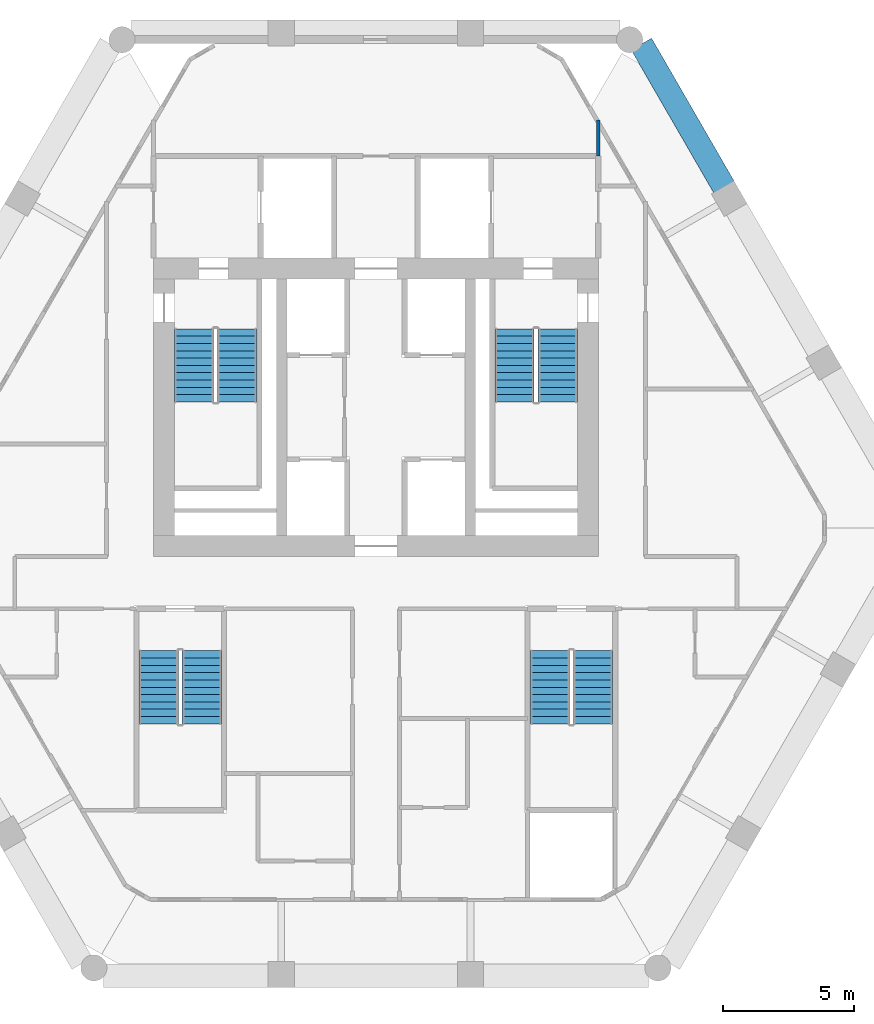
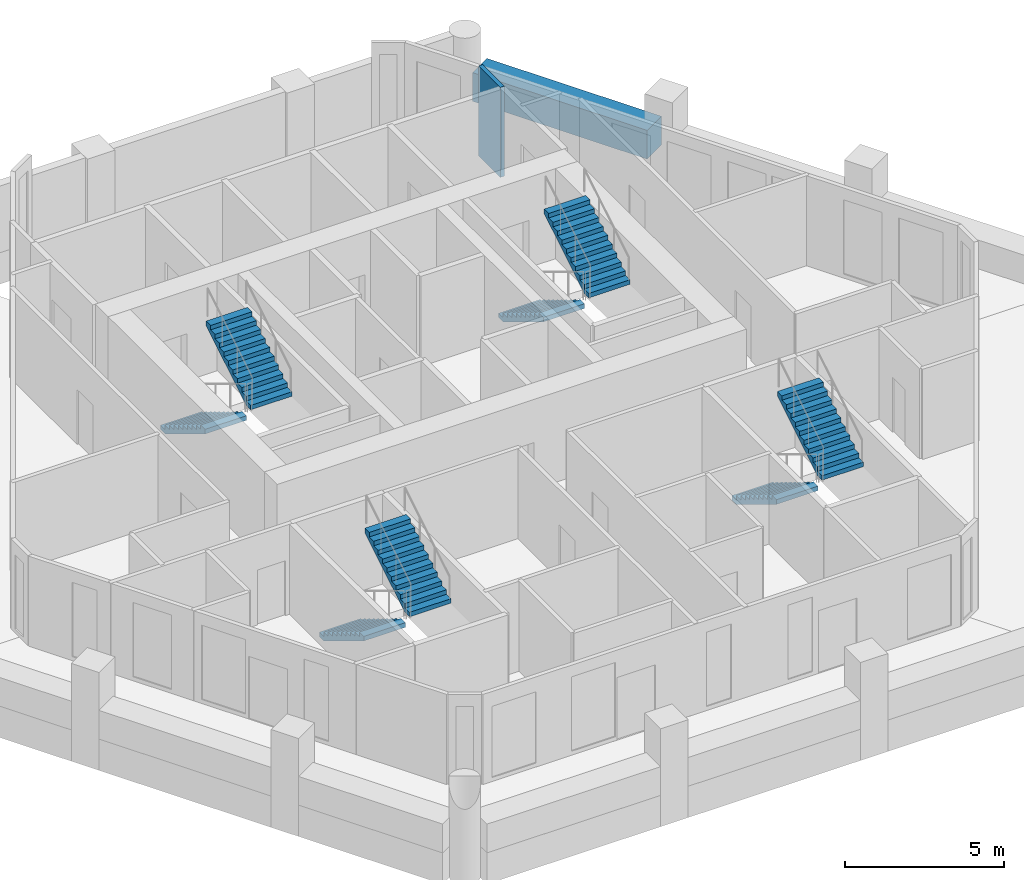
# One storey, part 6 of 7: 8 stair flights, 2 walls, 4 elements without a shape of their own.
"""IFC4 building model written with IfcOpenShell, lengths in metres."""

from ifc_helpers import new_model, si_unit, direction, frame, frame_2d, origin, place, context, subcontext, project, spatial, polyline, rectangle, outline, extrude, material, layer, layer_set, type_object, element, aggregate, save


model = new_model("IFC4")

# Units and contexts
model_context = context("Model", 3, precision=1e-05, world=origin(), true_north=direction((0.0, 1.0)))
body_context = subcontext(model_context, "Body", "Model", "MODEL_VIEW")
ifc_project = project(units=[si_unit("LENGTHUNIT", "METRE"), si_unit("AREAUNIT", "SQUARE_METRE"), si_unit("VOLUMEUNIT", "CUBIC_METRE"), si_unit("PLANEANGLEUNIT", "RADIAN"), si_unit("MASSUNIT", "GRAM", prefix="KILO")], contexts=[model_context])

# Site, building, storey
site_placement = place(None, origin())
site = spatial("IfcSite", under=ifc_project, at=site_placement, CompositionType="ELEMENT")
building_placement = place(site_placement, origin())
building = spatial("IfcBuilding", under=site, at=building_placement, Name="Ostrander Bayou Hotel Tower", CompositionType="ELEMENT")
storey_placement = place(building_placement, frame((0.0, 0.0, 183.25)))
storey = spatial("IfcBuildingStorey", under=building, at=storey_placement, Name="L45", CompositionType="ELEMENT", Elevation=183.25)

# Walls
ifc_material_1 = material(Name="Concrete f'c 40 MPa", Category="concrete")
ifc_layer_1 = layer(ifc_material_1, 0.89990234375)
ifc_layer_set_1 = layer_set([ifc_layer_1], Name="PA1 stone-faced parapet 900 mm")
wall_type_1 = type_object("IfcWallType", Name="PA1 stone-faced parapet 900 mm", PredefinedType="PARAPET", material=ifc_layer_set_1)
wall_1_placement = place(storey_placement, frame((13.30908203125, 12.404296875, 0.0), z_axis=(0.0, 0.0, 1.0), x_axis=(-0.500000968981, 0.866024844342, 0.0)))
element("IfcWall", 1, at=wall_1_placement, inside=storey, type_object=wall_type_1, Name="PA1 L45 NE-3", PredefinedType="PARAPET", context=body_context, shape_type="SweptSolid", body=[
    extrude(rectangle(XDim=6.3232421875, YDim=0.89990234375, at=frame_2d((3.16162109375, 0.0))), origin(), (0.0, 0.0, 1.0), 1.10009765625),
])
ifc_material_2 = material(Name="Gypsum board partition", Category="finish")
ifc_layer_2 = layer(ifc_material_2, 0.14990234375)
ifc_layer_set_2 = layer_set([ifc_layer_2], Name="PT8 service band wall 150 mm, 1 hour")
wall_type_2 = type_object("IfcWallType", Name="PT8 service band wall 150 mm, 1 hour", PredefinedType="PARTITIONING", material=ifc_layer_set_2)
wall_2_placement = place(storey_placement, frame((8.5, 13.610107421875, 0.0), z_axis=(0.0, 0.0, 1.0), x_axis=(0.0, 1.0, 0.0)))
element("IfcWall", 2, at=wall_2_placement, inside=storey, type_object=wall_type_2, Name="gw:L45:022", PredefinedType="PARTITIONING", context=body_context, shape_type="SweptSolid", body=[
    extrude(rectangle(XDim=1.364013671875, YDim=0.14990234375, at=frame_2d((0.68212890625, 0.0))), origin(), (0.0, 0.0, 1.0), 3.449951171875),
])

# Stair, stair flights
ifc_material_3 = material(Name="Concrete f'c 45 MPa", Category="concrete")
stair_type = type_object("IfcStairType", Name="ST1 exit stair 1500 mm f'c 45 MPa", PredefinedType="HALF_TURN_STAIR", material=ifc_material_3)
stair_1_placement = place(storey_placement, origin())
stair_1 = element("IfcStair", 3, at=stair_1_placement, inside=storey, type_object=stair_type, Name="L45 exit stair A", PredefinedType="HALF_TURN_STAIR")
ifc_material_4 = material(Name="Concrete f'c 45 MPa", Category="concrete")
stair_flight_type = type_object("IfcStairFlightType", Name="SF1 stair flight 1500 mm f'c 45 MPa", PredefinedType="STRAIGHT", material=ifc_material_4)
stair_flight_1_placement = place(storey_placement, frame((-6.949951171875, 7.0, 0.0), z_axis=(0.0, 0.0, 1.0), x_axis=(0.0, -1.0, 0.0)))
stair_flight_1 = element("IfcStairFlight", 4, at=stair_flight_1_placement, type_object=stair_flight_type, Name="STA flight 1", NumberOfRisers=11, NumberOfTreads=10, PredefinedType="STRAIGHT", RiserHeight=0.170454545, TreadLength=0.28, context=body_context, shape_type="SweptSolid", body=[
    extrude(outline(polyline([(0.0, 0.0), (0.0, 0.17041015625), (0.280029296875, 0.17041015625), (0.280029296875, 0.3408203125), (0.56005859375, 0.3408203125), (0.56005859375, 0.511474609375), (0.840087890625, 0.511474609375), (0.840087890625, 0.681884765625), (1.1201171875, 0.681884765625), (1.1201171875, 0.852294921875), (1.39990234375, 0.852294921875), (1.39990234375, 1.022705078125), (1.679931640625, 1.022705078125), (1.679931640625, 1.193115234375), (1.9599609375, 1.193115234375), (1.9599609375, 1.363525390625), (2.239990234375, 1.363525390625), (2.239990234375, 1.5341796875), (2.52001953125, 1.5341796875), (2.52001953125, 1.70458984375), (2.800048828125, 1.70458984375), (2.800048828125, 1.875), (2.800048828125, 1.529052734375), (0.288330078125, 0.0), (0.0, 0.0)])), frame((0.0, 0.75, 0.0), z_axis=(0.0, -1.0, 0.0), x_axis=(1.0, 0.0, 0.0)), (0.0, 0.0, 1.0), 1.5),
])
stair_flight_2_placement = place(storey_placement, frame((-5.300048828125, 4.199951171875, 1.875), z_axis=(0.0, 0.0, 1.0), x_axis=(0.0, 1.0, 0.0)))
stair_flight_2 = element("IfcStairFlight", 5, at=stair_flight_2_placement, type_object=stair_flight_type, Name="STA flight 2", NumberOfRisers=11, NumberOfTreads=10, PredefinedType="STRAIGHT", RiserHeight=0.170454545, TreadLength=0.28, context=body_context, shape_type="SweptSolid", body=[
    extrude(outline(polyline([(0.0, 0.0), (0.0, 0.17041015625), (0.280029296875, 0.17041015625), (0.280029296875, 0.3408203125), (0.56005859375, 0.3408203125), (0.56005859375, 0.511474609375), (0.840087890625, 0.511474609375), (0.840087890625, 0.681884765625), (1.1201171875, 0.681884765625), (1.1201171875, 0.852294921875), (1.39990234375, 0.852294921875), (1.39990234375, 1.022705078125), (1.679931640625, 1.022705078125), (1.679931640625, 1.193115234375), (1.9599609375, 1.193115234375), (1.9599609375, 1.363525390625), (2.239990234375, 1.363525390625), (2.239990234375, 1.5341796875), (2.52001953125, 1.5341796875), (2.52001953125, 1.70458984375), (2.800048828125, 1.70458984375), (2.800048828125, 1.875), (2.800048828125, 1.529052734375), (0.288330078125, 0.0), (0.0, 0.0)])), frame((0.0, 0.75, 0.0), z_axis=(0.0, -1.0, 0.0), x_axis=(1.0, 0.0, 0.0)), (0.0, 0.0, 1.0), 1.5),
])
aggregate(stair_1, [stair_flight_1, stair_flight_2])

stair_2_placement = place(storey_placement, origin())
stair_2 = element("IfcStair", 6, at=stair_2_placement, inside=storey, type_object=stair_type, Name="L45 exit stair B", PredefinedType="HALF_TURN_STAIR")
stair_flight_3_placement = place(storey_placement, frame((5.300048828125, 7.0, 0.0), z_axis=(0.0, 0.0, 1.0), x_axis=(0.0, -1.0, 0.0)))
stair_flight_3 = element("IfcStairFlight", 7, at=stair_flight_3_placement, type_object=stair_flight_type, Name="STB flight 1", NumberOfRisers=11, NumberOfTreads=10, PredefinedType="STRAIGHT", RiserHeight=0.170454545, TreadLength=0.28, context=body_context, shape_type="SweptSolid", body=[
    extrude(outline(polyline([(0.0, 0.0), (0.0, 0.17041015625), (0.280029296875, 0.17041015625), (0.280029296875, 0.3408203125), (0.56005859375, 0.3408203125), (0.56005859375, 0.511474609375), (0.840087890625, 0.511474609375), (0.840087890625, 0.681884765625), (1.1201171875, 0.681884765625), (1.1201171875, 0.852294921875), (1.39990234375, 0.852294921875), (1.39990234375, 1.022705078125), (1.679931640625, 1.022705078125), (1.679931640625, 1.193115234375), (1.9599609375, 1.193115234375), (1.9599609375, 1.363525390625), (2.239990234375, 1.363525390625), (2.239990234375, 1.5341796875), (2.52001953125, 1.5341796875), (2.52001953125, 1.70458984375), (2.800048828125, 1.70458984375), (2.800048828125, 1.875), (2.800048828125, 1.529052734375), (0.288330078125, 0.0), (0.0, 0.0)])), frame((0.0, 0.75, 0.0), z_axis=(0.0, -1.0, 0.0), x_axis=(1.0, 0.0, 0.0)), (0.0, 0.0, 1.0), 1.5),
])
stair_flight_4_placement = place(storey_placement, frame((6.949951171875, 4.199951171875, 1.875), z_axis=(0.0, 0.0, 1.0), x_axis=(0.0, 1.0, 0.0)))
stair_flight_4 = element("IfcStairFlight", 8, at=stair_flight_4_placement, type_object=stair_flight_type, Name="STB flight 2", NumberOfRisers=11, NumberOfTreads=10, PredefinedType="STRAIGHT", RiserHeight=0.170454545, TreadLength=0.28, context=body_context, shape_type="SweptSolid", body=[
    extrude(outline(polyline([(0.0, 0.0), (0.0, 0.17041015625), (0.280029296875, 0.17041015625), (0.280029296875, 0.3408203125), (0.56005859375, 0.3408203125), (0.56005859375, 0.511474609375), (0.840087890625, 0.511474609375), (0.840087890625, 0.681884765625), (1.1201171875, 0.681884765625), (1.1201171875, 0.852294921875), (1.39990234375, 0.852294921875), (1.39990234375, 1.022705078125), (1.679931640625, 1.022705078125), (1.679931640625, 1.193115234375), (1.9599609375, 1.193115234375), (1.9599609375, 1.363525390625), (2.239990234375, 1.363525390625), (2.239990234375, 1.5341796875), (2.52001953125, 1.5341796875), (2.52001953125, 1.70458984375), (2.800048828125, 1.70458984375), (2.800048828125, 1.875), (2.800048828125, 1.529052734375), (0.288330078125, 0.0), (0.0, 0.0)])), frame((0.0, 0.75, 0.0), z_axis=(0.0, -1.0, 0.0), x_axis=(1.0, 0.0, 0.0)), (0.0, 0.0, 1.0), 1.5),
])
aggregate(stair_2, [stair_flight_3, stair_flight_4])

stair_3_placement = place(storey_placement, origin())
stair_3 = element("IfcStair", 9, at=stair_3_placement, inside=storey, type_object=stair_type, Name="L45 exit stair C", PredefinedType="HALF_TURN_STAIR")
stair_flight_5_placement = place(storey_placement, frame((6.64990234375, -5.300048828125, 0.0), z_axis=(0.0, 0.0, 1.0), x_axis=(0.0, -1.0, 0.0)))
stair_flight_5 = element("IfcStairFlight", 10, at=stair_flight_5_placement, type_object=stair_flight_type, Name="STC flight 1", NumberOfRisers=11, NumberOfTreads=10, PredefinedType="STRAIGHT", RiserHeight=0.170454545, TreadLength=0.28, context=body_context, shape_type="SweptSolid", body=[
    extrude(outline(polyline([(0.0, 0.0), (0.0, 0.17041015625), (0.280029296875, 0.17041015625), (0.280029296875, 0.3408203125), (0.56005859375, 0.3408203125), (0.56005859375, 0.511474609375), (0.840087890625, 0.511474609375), (0.840087890625, 0.681884765625), (1.1201171875, 0.681884765625), (1.1201171875, 0.852294921875), (1.39990234375, 0.852294921875), (1.39990234375, 1.022705078125), (1.679931640625, 1.022705078125), (1.679931640625, 1.193115234375), (1.9599609375, 1.193115234375), (1.9599609375, 1.363525390625), (2.239990234375, 1.363525390625), (2.239990234375, 1.5341796875), (2.52001953125, 1.5341796875), (2.52001953125, 1.70458984375), (2.800048828125, 1.70458984375), (2.800048828125, 1.875), (2.800048828125, 1.529052734375), (0.288330078125, 0.0), (0.0, 0.0)])), frame((0.0, 0.75, 0.0), z_axis=(0.0, -1.0, 0.0), x_axis=(1.0, 0.0, 0.0)), (0.0, 0.0, 1.0), 1.5),
])
stair_flight_6_placement = place(storey_placement, frame((8.300048828125, -8.10009765625, 1.875), z_axis=(0.0, 0.0, 1.0), x_axis=(0.0, 1.0, 0.0)))
stair_flight_6 = element("IfcStairFlight", 11, at=stair_flight_6_placement, type_object=stair_flight_type, Name="STC flight 2", NumberOfRisers=11, NumberOfTreads=10, PredefinedType="STRAIGHT", RiserHeight=0.170454545, TreadLength=0.28, context=body_context, shape_type="SweptSolid", body=[
    extrude(outline(polyline([(0.0, 0.0), (0.0, 0.17041015625), (0.280029296875, 0.17041015625), (0.280029296875, 0.3408203125), (0.56005859375, 0.3408203125), (0.56005859375, 0.511474609375), (0.840087890625, 0.511474609375), (0.840087890625, 0.681884765625), (1.1201171875, 0.681884765625), (1.1201171875, 0.852294921875), (1.39990234375, 0.852294921875), (1.39990234375, 1.022705078125), (1.679931640625, 1.022705078125), (1.679931640625, 1.193115234375), (1.9599609375, 1.193115234375), (1.9599609375, 1.363525390625), (2.239990234375, 1.363525390625), (2.239990234375, 1.5341796875), (2.52001953125, 1.5341796875), (2.52001953125, 1.70458984375), (2.800048828125, 1.70458984375), (2.800048828125, 1.875), (2.800048828125, 1.529052734375), (0.288330078125, 0.0), (0.0, 0.0)])), frame((0.0, 0.75, 0.0), z_axis=(0.0, -1.0, 0.0), x_axis=(1.0, 0.0, 0.0)), (0.0, 0.0, 1.0), 1.5),
])
aggregate(stair_3, [stair_flight_5, stair_flight_6])

stair_4_placement = place(storey_placement, origin())
stair_4 = element("IfcStair", 12, at=stair_4_placement, inside=storey, type_object=stair_type, Name="L45 exit stair D", PredefinedType="HALF_TURN_STAIR")
stair_flight_7_placement = place(storey_placement, frame((-8.300048828125, -5.300048828125, 0.0), z_axis=(0.0, 0.0, 1.0), x_axis=(0.0, -1.0, 0.0)))
stair_flight_7 = element("IfcStairFlight", 13, at=stair_flight_7_placement, type_object=stair_flight_type, Name="STD flight 1", NumberOfRisers=11, NumberOfTreads=10, PredefinedType="STRAIGHT", RiserHeight=0.170454545, TreadLength=0.28, context=body_context, shape_type="SweptSolid", body=[
    extrude(outline(polyline([(0.0, 0.0), (0.0, 0.17041015625), (0.280029296875, 0.17041015625), (0.280029296875, 0.3408203125), (0.56005859375, 0.3408203125), (0.56005859375, 0.511474609375), (0.840087890625, 0.511474609375), (0.840087890625, 0.681884765625), (1.1201171875, 0.681884765625), (1.1201171875, 0.852294921875), (1.39990234375, 0.852294921875), (1.39990234375, 1.022705078125), (1.679931640625, 1.022705078125), (1.679931640625, 1.193115234375), (1.9599609375, 1.193115234375), (1.9599609375, 1.363525390625), (2.239990234375, 1.363525390625), (2.239990234375, 1.5341796875), (2.52001953125, 1.5341796875), (2.52001953125, 1.70458984375), (2.800048828125, 1.70458984375), (2.800048828125, 1.875), (2.800048828125, 1.529052734375), (0.288330078125, 0.0), (0.0, 0.0)])), frame((0.0, 0.75, 0.0), z_axis=(0.0, -1.0, 0.0), x_axis=(1.0, 0.0, 0.0)), (0.0, 0.0, 1.0), 1.5),
])
stair_flight_8_placement = place(storey_placement, frame((-6.64990234375, -8.10009765625, 1.875), z_axis=(0.0, 0.0, 1.0), x_axis=(0.0, 1.0, 0.0)))
stair_flight_8 = element("IfcStairFlight", 14, at=stair_flight_8_placement, type_object=stair_flight_type, Name="STD flight 2", NumberOfRisers=11, NumberOfTreads=10, PredefinedType="STRAIGHT", RiserHeight=0.170454545, TreadLength=0.28, context=body_context, shape_type="SweptSolid", body=[
    extrude(outline(polyline([(0.0, 0.0), (0.0, 0.17041015625), (0.280029296875, 0.17041015625), (0.280029296875, 0.3408203125), (0.56005859375, 0.3408203125), (0.56005859375, 0.511474609375), (0.840087890625, 0.511474609375), (0.840087890625, 0.681884765625), (1.1201171875, 0.681884765625), (1.1201171875, 0.852294921875), (1.39990234375, 0.852294921875), (1.39990234375, 1.022705078125), (1.679931640625, 1.022705078125), (1.679931640625, 1.193115234375), (1.9599609375, 1.193115234375), (1.9599609375, 1.363525390625), (2.239990234375, 1.363525390625), (2.239990234375, 1.5341796875), (2.52001953125, 1.5341796875), (2.52001953125, 1.70458984375), (2.800048828125, 1.70458984375), (2.800048828125, 1.875), (2.800048828125, 1.529052734375), (0.288330078125, 0.0), (0.0, 0.0)])), frame((0.0, 0.75, 0.0), z_axis=(0.0, -1.0, 0.0), x_axis=(1.0, 0.0, 0.0)), (0.0, 0.0, 1.0), 1.5),
])
aggregate(stair_4, [stair_flight_7, stair_flight_8])

save(model, "model.ifc")
